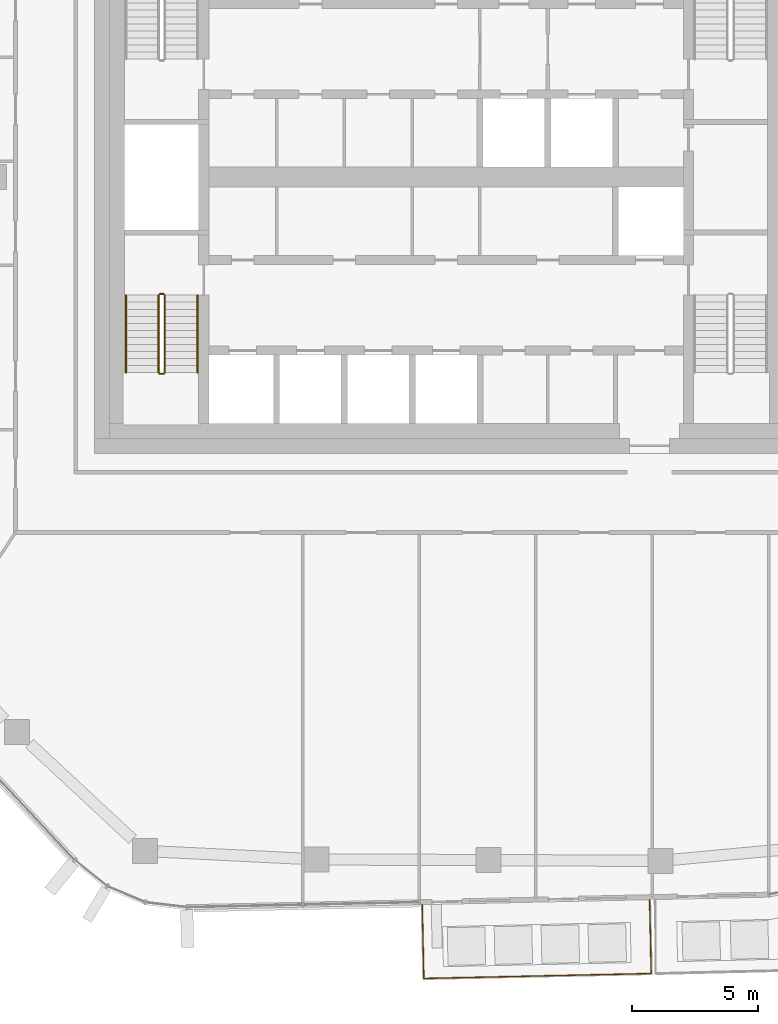
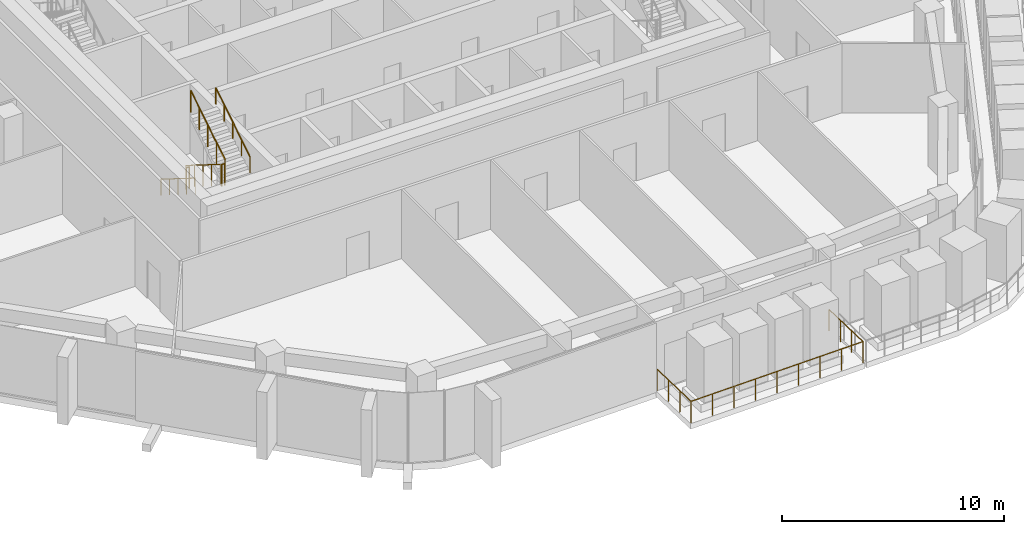
# One storey, part 19 of 23: 7 railings.
"""IFC4 building model written with IfcOpenShell, lengths in metres."""

from ifc_helpers import new_model, si_unit, direction, frame, origin, origin_2d, place, context, subcontext, project, spatial, circle, extrude, material, type_object, element, save


model = new_model("IFC4")

# Units and contexts
model_context = context("Model", 3, precision=1e-05, world=origin(), true_north=direction((0.0, 1.0)))
body_context = subcontext(model_context, "Body", "Model", "MODEL_VIEW")
ifc_project = project(units=[si_unit("LENGTHUNIT", "METRE"), si_unit("AREAUNIT", "SQUARE_METRE"), si_unit("VOLUMEUNIT", "CUBIC_METRE"), si_unit("PLANEANGLEUNIT", "RADIAN"), si_unit("MASSUNIT", "GRAM", prefix="KILO")], contexts=[model_context])

# Site, building, storey
site_placement = place(None, origin())
site = spatial("IfcSite", under=ifc_project, at=site_placement, CompositionType="ELEMENT")
building_placement = place(site_placement, origin())
building = spatial("IfcBuilding", under=site, at=building_placement, Name="Dongbaek Canopy Tower", CompositionType="ELEMENT")
storey_placement = place(building_placement, frame((0.0, 0.0, 336.199951171875)))
storey = spatial("IfcBuildingStorey", under=building, at=storey_placement, Name="L72", CompositionType="ELEMENT", Elevation=336.199951171875)

# Railings
ifc_material_1 = material(Name="Stainless steel", Category="steel")
railing_type_1 = type_object("IfcRailingType", Name="Balcony balustrade 1200", PredefinedType="BALUSTRADE", material=ifc_material_1)
railing_1_placement = place(storey_placement, frame((-0.948974609375, -28.97021484375, 0.0)))
element("IfcRailing", 1, at=railing_1_placement, inside=storey, type_object=railing_type_1, Name="Balcony guard L72 4", PredefinedType="BALUSTRADE", context=body_context, shape_type="SweptSolid", body=[
    extrude(circle(Radius=0.02392578125, at=origin_2d()), frame((0.0, 0.0, 1.17578125), z_axis=(0.021672649208, -0.999765120554, 0.0), x_axis=(0.999765120554, 0.021672649208, 0.0)), (0.0, 0.0, 1.0), 2.940185546875),
    extrude(circle(Radius=0.02392578125, at=origin_2d()), frame((0.063720703125, -2.939453125, 1.17578125), z_axis=(0.999765123901, 0.021672494799, 0.0), x_axis=(-0.021672494799, 0.999765123901, 0.0)), (0.0, 0.0, 1.0), 9.05712890625),
    extrude(circle(Radius=0.02392578125, at=origin_2d()), frame((9.11865234375, -2.7431640625, 1.17578125), z_axis=(-0.021672649208, 0.999765120554, 0.0), x_axis=(-0.999765120554, -0.021672649208, 0.0)), (0.0, 0.0, 1.0), 2.940185546875),
    extrude(circle(Radius=0.02099609375, at=origin_2d()), origin(), (0.0, 0.0, 1.0), 1.15185546875),
    extrude(circle(Radius=0.02099609375, at=origin_2d()), frame((0.021240234375, -0.979736328125, 0.0)), (0.0, 0.0, 1.0), 1.15185546875),
    extrude(circle(Radius=0.02099609375, at=origin_2d()), frame((0.04248046875, -1.959716796875, 0.0)), (0.0, 0.0, 1.0), 1.15185546875),
    extrude(circle(Radius=0.02099609375, at=origin_2d()), frame((0.063720703125, -2.939453125, 0.0)), (0.0, 0.0, 1.0), 1.15185546875),
    extrude(circle(Radius=0.02099609375, at=origin_2d()), frame((1.195556640625, -2.9150390625, 0.0)), (0.0, 0.0, 1.0), 1.15185546875),
    extrude(circle(Radius=0.02099609375, at=origin_2d()), frame((2.327392578125, -2.890380859375, 0.0)), (0.0, 0.0, 1.0), 1.15185546875),
    extrude(circle(Radius=0.02099609375, at=origin_2d()), frame((3.459228515625, -2.86572265625, 0.0)), (0.0, 0.0, 1.0), 1.15185546875),
    extrude(circle(Radius=0.02099609375, at=origin_2d()), frame((4.59130859375, -2.84130859375, 0.0)), (0.0, 0.0, 1.0), 1.15185546875),
    extrude(circle(Radius=0.02099609375, at=origin_2d()), frame((5.72314453125, -2.81689453125, 0.0)), (0.0, 0.0, 1.0), 1.15185546875),
    extrude(circle(Radius=0.02099609375, at=origin_2d()), frame((6.85498046875, -2.792236328125, 0.0)), (0.0, 0.0, 1.0), 1.15185546875),
    extrude(circle(Radius=0.02099609375, at=origin_2d()), frame((7.98681640625, -2.767578125, 0.0)), (0.0, 0.0, 1.0), 1.15185546875),
    extrude(circle(Radius=0.02099609375, at=origin_2d()), frame((9.11865234375, -2.7431640625, 0.0)), (0.0, 0.0, 1.0), 1.15185546875),
    extrude(circle(Radius=0.02099609375, at=origin_2d()), frame((9.097412109375, -1.763427734375, 0.0)), (0.0, 0.0, 1.0), 1.15185546875),
    extrude(circle(Radius=0.02099609375, at=origin_2d()), frame((9.076171875, -0.783447265625, 0.0)), (0.0, 0.0, 1.0), 1.15185546875),
    extrude(circle(Radius=0.02099609375, at=origin_2d()), frame((9.054931640625, 0.1962890625, 0.0)), (0.0, 0.0, 1.0), 1.15185546875),
])
ifc_material_2 = material(Name="Stainless steel tube and balusters", Category="steel")
railing_type_2 = type_object("IfcRailingType", Name="Stair guard 1200", PredefinedType="GUARDRAIL", material=ifc_material_2)
railing_2_placement = place(storey_placement, frame((-11.449951171875, -4.699951171875, 0.175048828125)))
element("IfcRailing", 2, at=railing_2_placement, inside=storey, type_object=railing_type_2, Name="L72 ST-D stair guard 1", PredefinedType="GUARDRAIL", context=body_context, shape_type="SweptSolid", body=[
    extrude(circle(Radius=0.02392578125, at=origin_2d()), frame((0.0, 0.0, 1.17578125), z_axis=(0.0, -0.847998304005, 0.529998940003), x_axis=(1.0, 0.0, 0.0)), (0.0, 0.0, 1.0), 3.632080078125),
    extrude(circle(Radius=0.02099609375, at=origin_2d()), origin(), (0.0, 0.0, 1.0), 1.15185546875),
    extrude(circle(Radius=0.02099609375, at=origin_2d()), frame((0.0, -0.77001953125, 0.481201171875)), (0.0, 0.0, 1.0), 1.15185546875),
    extrude(circle(Radius=0.02099609375, at=origin_2d()), frame((0.0, -1.5400390625, 0.96240234375)), (0.0, 0.0, 1.0), 1.15185546875),
    extrude(circle(Radius=0.02099609375, at=origin_2d()), frame((0.0, -2.31005859375, 1.44384765625)), (0.0, 0.0, 1.0), 1.15185546875),
    extrude(circle(Radius=0.02099609375, at=origin_2d()), frame((0.0, -3.080078125, 1.925048828125)), (0.0, 0.0, 1.0), 1.15185546875),
])
railing_3_placement = place(storey_placement, frame((-11.39990234375, -7.830078125, 2.10009765625)))
element("IfcRailing", 3, at=railing_3_placement, inside=storey, type_object=railing_type_2, Name="L72 ST-D stair guard 2", PredefinedType="GUARDRAIL", context=body_context, shape_type="SweptSolid", body=[
    extrude(circle(Radius=0.02392578125, at=origin_2d()), frame((0.0, 0.0, 1.17578125), z_axis=(1.0, 0.0, 0.0), x_axis=(0.0, 1.0, 0.0)), (0.0, 0.0, 1.0), 0.14990234375),
    extrude(circle(Radius=0.02099609375, at=origin_2d()), origin(), (0.0, 0.0, 1.0), 1.15185546875),
    extrude(circle(Radius=0.02099609375, at=origin_2d()), frame((0.14990234375, 0.0, 0.0)), (0.0, 0.0, 1.0), 1.15185546875),
])
railing_4_placement = place(storey_placement, frame((-11.199951171875, -7.780029296875, 2.275146484375)))
element("IfcRailing", 4, at=railing_4_placement, inside=storey, type_object=railing_type_2, Name="L72 ST-D stair guard 3", PredefinedType="GUARDRAIL", context=body_context, shape_type="SweptSolid", body=[
    extrude(circle(Radius=0.02392578125, at=origin_2d()), frame((0.0, 0.0, 1.17578125), z_axis=(0.0, 0.848028513186, 0.529950602248), x_axis=(-1.0, 0.0, 0.0)), (0.0, 0.0, 1.0), 3.632080078125),
    extrude(circle(Radius=0.02099609375, at=origin_2d()), origin(), (0.0, 0.0, 1.0), 1.15185546875),
    extrude(circle(Radius=0.02099609375, at=origin_2d()), frame((0.0, 0.77001953125, 0.481201171875)), (0.0, 0.0, 1.0), 1.15185546875),
    extrude(circle(Radius=0.02099609375, at=origin_2d()), frame((0.0, 1.5400390625, 0.96240234375)), (0.0, 0.0, 1.0), 1.15185546875),
    extrude(circle(Radius=0.02099609375, at=origin_2d()), frame((0.0, 2.31005859375, 1.443603515625)), (0.0, 0.0, 1.0), 1.15185546875),
    extrude(circle(Radius=0.02099609375, at=origin_2d()), frame((0.0, 3.080078125, 1.9248046875)), (0.0, 0.0, 1.0), 1.15185546875),
])
railing_5_placement = place(storey_placement, frame((-11.39990234375, -4.64990234375, 0.0)))
element("IfcRailing", 5, at=railing_5_placement, inside=storey, type_object=railing_type_2, Name="L72 ST-D stair guard 4", PredefinedType="GUARDRAIL", context=body_context, shape_type="SweptSolid", body=[
    extrude(circle(Radius=0.02392578125, at=origin_2d()), frame((0.0, 0.0, 1.17578125), z_axis=(1.0, 0.0, 0.0), x_axis=(0.0, 1.0, 0.0)), (0.0, 0.0, 1.0), 0.14990234375),
    extrude(circle(Radius=0.02099609375, at=origin_2d()), origin(), (0.0, 0.0, 1.0), 1.15185546875),
    extrude(circle(Radius=0.02099609375, at=origin_2d()), frame((0.14990234375, 0.0, 0.0)), (0.0, 0.0, 1.0), 1.15185546875),
])
ifc_material_3 = material(Name="Stainless steel tube", Category="steel")
railing_type_3 = type_object("IfcRailingType", Name="Stair handrail 900", PredefinedType="HANDRAIL", material=ifc_material_3)
railing_6_placement = place(storey_placement, frame((-12.75, -4.699951171875, 0.175048828125)))
element("IfcRailing", 6, at=railing_6_placement, inside=storey, type_object=railing_type_3, Name="L72 ST-D stair handrail 1", PredefinedType="HANDRAIL", context=body_context, shape_type="SweptSolid", body=[
    extrude(circle(Radius=0.02392578125, at=origin_2d()), frame((0.0, 0.0, 0.8759765625), z_axis=(0.0, -0.847998304005, 0.529998940003), x_axis=(1.0, 0.0, 0.0)), (0.0, 0.0, 1.0), 3.632080078125),
    extrude(circle(Radius=0.02099609375, at=origin_2d()), origin(), (0.0, 0.0, 1.0), 0.851806640625),
    extrude(circle(Radius=0.02099609375, at=origin_2d()), frame((0.0, -0.77001953125, 0.481201171875)), (0.0, 0.0, 1.0), 0.851806640625),
    extrude(circle(Radius=0.02099609375, at=origin_2d()), frame((0.0, -1.5400390625, 0.96240234375)), (0.0, 0.0, 1.0), 0.851806640625),
    extrude(circle(Radius=0.02099609375, at=origin_2d()), frame((0.0, -2.31005859375, 1.44384765625)), (0.0, 0.0, 1.0), 0.851806640625),
    extrude(circle(Radius=0.02099609375, at=origin_2d()), frame((0.0, -3.080078125, 1.925048828125)), (0.0, 0.0, 1.0), 0.851806640625),
])
railing_7_placement = place(storey_placement, frame((-9.89990234375, -7.780029296875, 2.275146484375)))
element("IfcRailing", 7, at=railing_7_placement, inside=storey, type_object=railing_type_3, Name="L72 ST-D stair handrail 2", PredefinedType="HANDRAIL", context=body_context, shape_type="SweptSolid", body=[
    extrude(circle(Radius=0.02392578125, at=origin_2d()), frame((0.0, 0.0, 0.8759765625), z_axis=(0.0, 0.848028513186, 0.529950602248), x_axis=(-1.0, 0.0, 0.0)), (0.0, 0.0, 1.0), 3.632080078125),
    extrude(circle(Radius=0.02099609375, at=origin_2d()), origin(), (0.0, 0.0, 1.0), 0.851806640625),
    extrude(circle(Radius=0.02099609375, at=origin_2d()), frame((0.0, 0.77001953125, 0.481201171875)), (0.0, 0.0, 1.0), 0.851806640625),
    extrude(circle(Radius=0.02099609375, at=origin_2d()), frame((0.0, 1.5400390625, 0.96240234375)), (0.0, 0.0, 1.0), 0.851806640625),
    extrude(circle(Radius=0.02099609375, at=origin_2d()), frame((0.0, 2.31005859375, 1.443603515625)), (0.0, 0.0, 1.0), 0.851806640625),
    extrude(circle(Radius=0.02099609375, at=origin_2d()), frame((0.0, 3.080078125, 1.9248046875)), (0.0, 0.0, 1.0), 0.851806640625),
])

save(model, "model.ifc")
